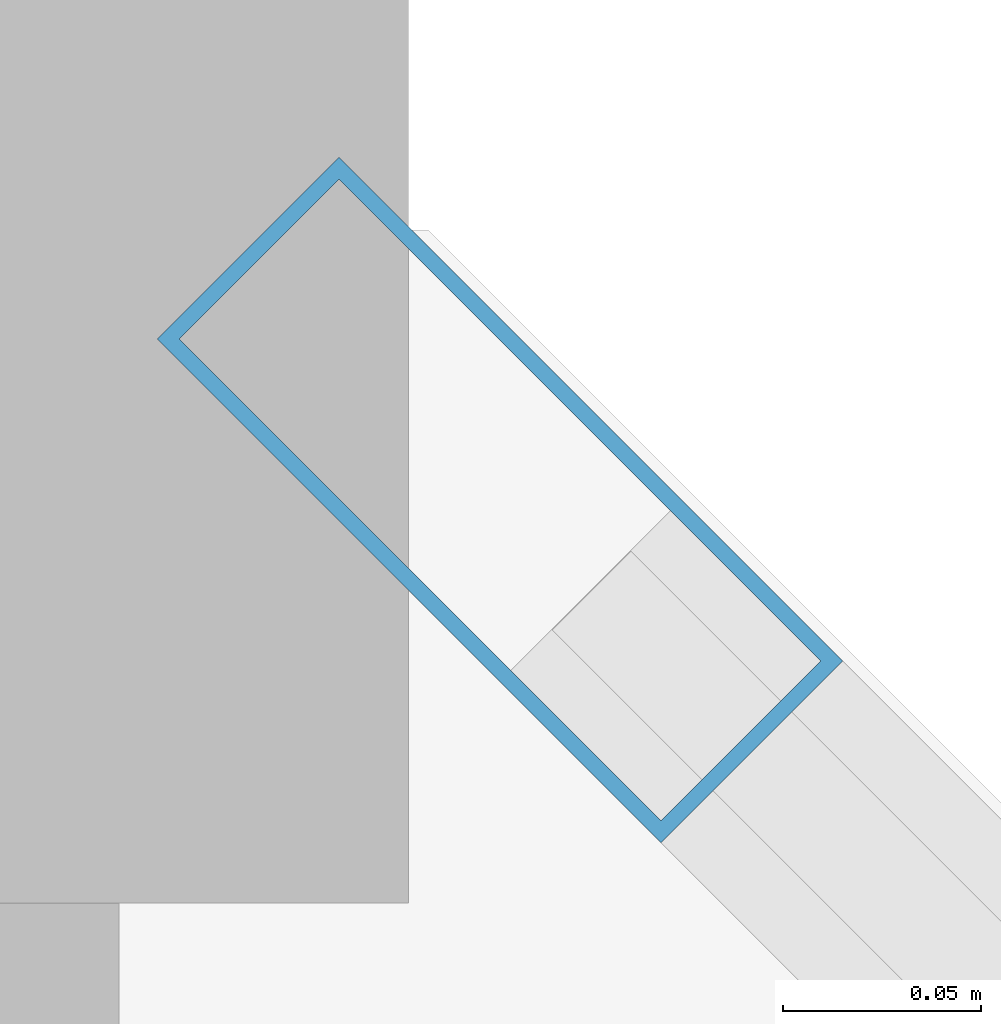
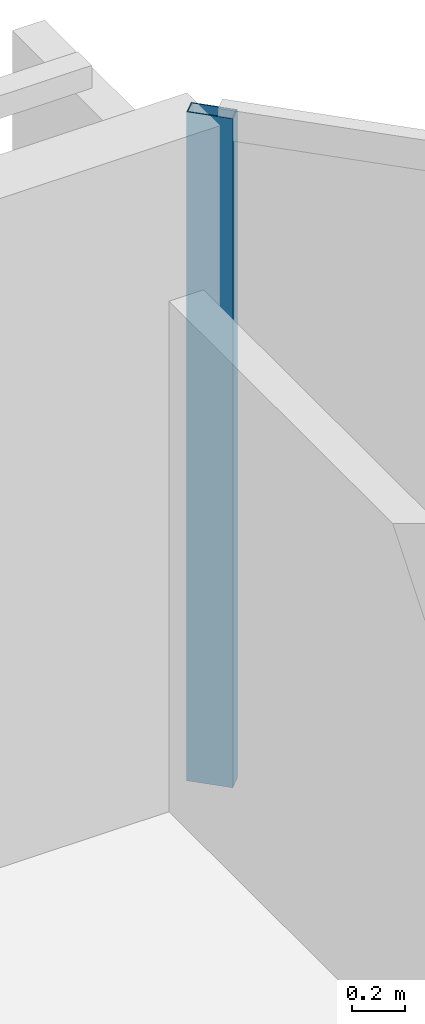
# One storey, part 19 of 33: 1 member, 1 element without a shape of its own.
"""IFC4 building model written with IfcOpenShell, lengths in metres."""

from ifc_helpers import new_model, si_unit, direction, frame, origin, origin_2d, place, context, subcontext, project, spatial, hollow_rectangle, extrude, material, layer, layer_set, material_profile, profile_set, type_object, element, aggregate, save


model = new_model("IFC4")

# Units and contexts
model_context = context("Model", 3, precision=1e-05, world=origin(), true_north=direction((0.0, 1.0)))
body_context = subcontext(model_context, "Body", "Model", "MODEL_VIEW")
ifc_project = project(units=[si_unit("LENGTHUNIT", "METRE"), si_unit("AREAUNIT", "SQUARE_METRE"), si_unit("VOLUMEUNIT", "CUBIC_METRE"), si_unit("PLANEANGLEUNIT", "RADIAN"), si_unit("MASSUNIT", "GRAM", prefix="KILO")], contexts=[model_context])

# Site, building, storey
site_placement = place(None, origin())
site = spatial("IfcSite", under=ifc_project, at=site_placement, CompositionType="ELEMENT")
building_placement = place(site_placement, origin())
building = spatial("IfcBuilding", under=site, at=building_placement, Name="Tanjung Sevakor Pilgrim Tower", CompositionType="ELEMENT")
storey_placement = place(building_placement, frame((0.0, 0.0, 95.3701171875)))
storey = spatial("IfcBuildingStorey", under=building, at=storey_placement, Name="L26", CompositionType="ELEMENT", Elevation=95.3701171875)

# Curtain wall, member
ifc_material_1 = material(Name="Aluminium 6063-T6 and Low-E Glass", Category="aluminium")
ifc_layer = layer(ifc_material_1, 0.179931640625)
ifc_layer_set = layer_set([ifc_layer], Name="CW-SYS-CHAM")
curtain_wall_type = type_object("IfcCurtainWallType", Name="CW-SYS-CHAM", PredefinedType="NOTDEFINED", material=ifc_layer_set)
curtain_wall_placement = place(storey_placement, origin())
curtain_wall = element("IfcCurtainWall", 1, at=curtain_wall_placement, inside=storey, type_object=curtain_wall_type, Name="L26 Curtain Wall CW-CHM-L26-MAIN-7", PredefinedType="NOTDEFINED")
ifc_material_2 = material(Name="Aluminium 6063-T6", Category="aluminium")
ifc_material_profile = material_profile(ifc_material_2, hollow_rectangle(XDim=0.06494140625, YDim=0.179931640625, WallThickness=0.00390625, at=origin_2d()))
ifc_profile_set = profile_set([ifc_material_profile], Name="Aluminium 6063-T6")
member_type = type_object("IfcMemberType", Name="TYPE-CWM-1", PredefinedType="MULLION", material=ifc_profile_set)
member_placement = place(storey_placement, frame((96.171142578125, 57.451904296875, 0.0), z_axis=(0.0, 0.0, 1.0), x_axis=(-0.707106781187, -0.707106781187, 0.0)))
member = element("IfcMember", 2, at=member_placement, type_object=member_type, Name="CW-CHM mullion 2", PredefinedType="MULLION", context=body_context, shape_type="SweptSolid", body=[
    extrude(hollow_rectangle(XDim=0.06494140625, YDim=0.179931640625, WallThickness=0.00390625, at=origin_2d()), origin(), (0.0, 0.0, 1.0), 3.079833984375),
])
aggregate(curtain_wall, [member])

save(model, "model.ifc")
